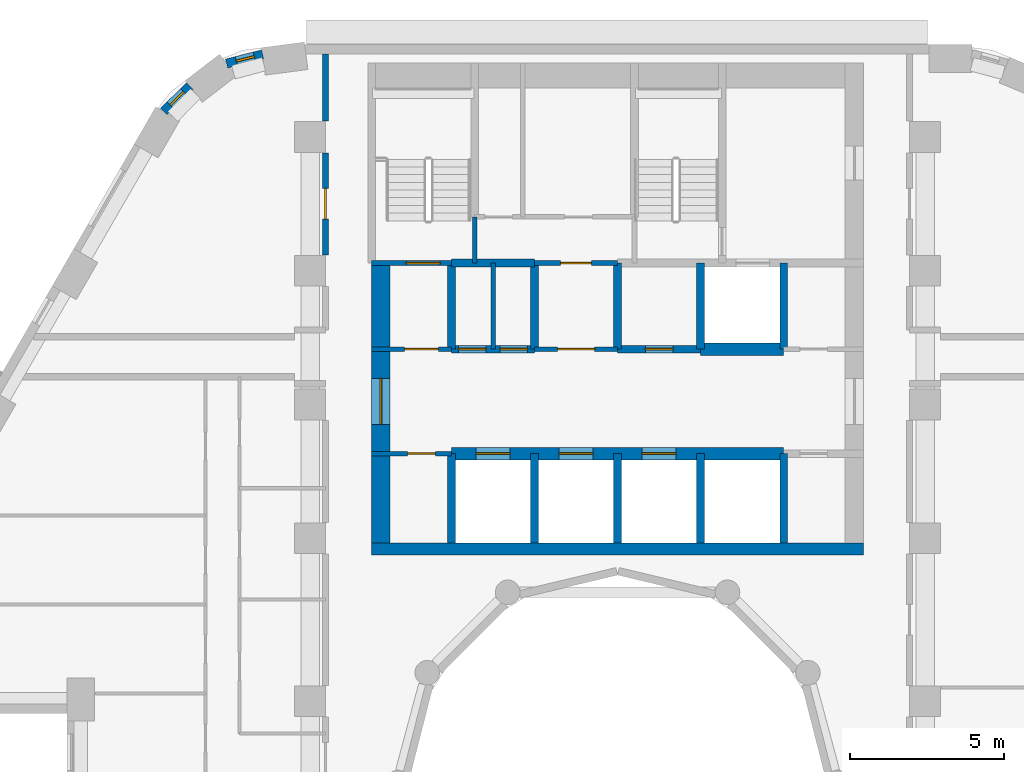
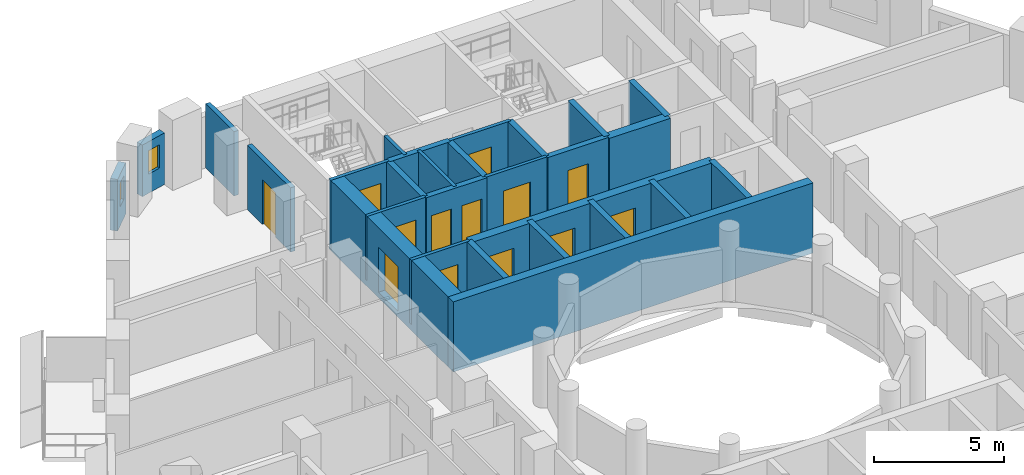
# One storey, part 7 of 14: 28 walls, 13 doors, 2 windows, 15 openings.
"""IFC4 building model written with IfcOpenShell, lengths in metres."""

from ifc_helpers import new_model, si_unit, direction, frame, frame_2d, origin, place, context, subcontext, project, spatial, rectangle, extrude, material, layer, layer_set, type_object, element, fill, save


model = new_model("IFC4")

# Units and contexts
model_context = context("Model", 3, precision=1e-05, world=origin(), true_north=direction((0.0, 1.0)))
body_context = subcontext(model_context, "Body", "Model", "MODEL_VIEW")
ifc_project = project(units=[si_unit("LENGTHUNIT", "METRE"), si_unit("AREAUNIT", "SQUARE_METRE"), si_unit("VOLUMEUNIT", "CUBIC_METRE"), si_unit("PLANEANGLEUNIT", "RADIAN"), si_unit("MASSUNIT", "GRAM", prefix="KILO")], contexts=[model_context])

# Site, building, storey
site_placement = place(None, origin())
site = spatial("IfcSite", under=ifc_project, at=site_placement, CompositionType="ELEMENT")
building_placement = place(site_placement, origin())
building = spatial("IfcBuilding", under=site, at=building_placement, Name="Nakaniwa Court", CompositionType="ELEMENT")
storey_placement = place(building_placement, frame((0.0, 0.0, 107.39990234375)))
storey = spatial("IfcBuildingStorey", under=building, at=storey_placement, Name="L28", CompositionType="ELEMENT", Elevation=107.39990234375)

# Wall, opening, door
ifc_material_1 = material(Name="Acoustic double stud partition")
ifc_layer_1 = layer(ifc_material_1, 0.199951171875)
ifc_layer_set_1 = layer_set([ifc_layer_1], Name="Acoustic double stud partition")
wall_type_1 = type_object("IfcWallType", Name="Acoustic double stud partition 200", PredefinedType="PARTITIONING", material=ifc_layer_set_1)
wall_1_placement = place(storey_placement, frame((70.5, 97.1669921875, 0.0), z_axis=(0.0, 0.0, 1.0), x_axis=(0.0, 1.0, 0.0)))
wall_1 = element("IfcWall", 1, at=wall_1_placement, inside=storey, type_object=wall_type_1, Name="Partition PW-107", PredefinedType="PARTITIONING", context=body_context, shape_type="SweptSolid", body=[
    extrude(rectangle(XDim=3.31591796875, YDim=0.199951171875, at=frame_2d((1.657958984375, 0.0))), origin(), (0.0, 0.0, 1.0), 3.025146484375),
])
opening_1_placement = place(wall_1_placement, frame((1.157958984375, 0.0, 0.0)))
opening_1 = element("IfcOpeningElement", 2, at=opening_1_placement, cuts=wall_1, Name="Opening D-02-06", PredefinedType="OPENING", context=body_context, shape_type="SweptSolid", body=[
    extrude(rectangle(XDim=1.0, YDim=2.10009765625, at=frame_2d((0.5, 1.050048828125))), frame((0.0, 0.10986328125, 0.0), z_axis=(0.0, -1.0, 0.0), x_axis=(1.0, 0.0, 0.0)), (0.0, 0.0, 1.0), 0.219970703125),
])
ifc_material_2 = material(Name="Solid core timber door set, black veneer", Category="wood")
door_type_1 = type_object("IfcDoorType", Name="Internal door 1000", OperationType="NOTDEFINED", PredefinedType="DOOR", material=ifc_material_2)
door_1_placement = place(opening_1_placement, origin())
door_1 = element("IfcDoor", 3, at=door_1_placement, inside=storey, type_object=door_type_1, Name="Door D-02-06 L28-052", OperationType="SINGLE_SWING_LEFT", OverallHeight=2.10009765625, OverallWidth=1.0, PredefinedType="DOOR", context=body_context, shape_type="SweptSolid", body=[
    extrude(rectangle(XDim=1.0, YDim=2.10009765625, at=frame_2d((0.5, 1.050048828125))), frame((0.0, 0.02490234375, 0.0), z_axis=(0.0, -1.0, 0.0), x_axis=(1.0, 0.0, 0.0)), (0.0, 0.0, 1.0), 0.050048828125),
])
fill(opening_1, door_1)

# Wall
wall_2_placement = place(storey_placement, frame((70.5, 101.51708984375, 0.0), z_axis=(0.0, 0.0, 1.0), x_axis=(0.0, 1.0, 0.0)))
element("IfcWall", 4, at=wall_2_placement, inside=storey, type_object=wall_type_1, Name="Partition PW-108", PredefinedType="PARTITIONING", context=body_context, shape_type="SweptSolid", body=[
    extrude(rectangle(XDim=2.182861328125, YDim=0.199951171875, at=frame_2d((1.09130859375, 0.0))), origin(), (0.0, 0.0, 1.0), 3.025146484375),
])

# Wall, opening, window
ifc_material_3 = material(Name="Charcoal ceramic cladding")
ifc_layer_2 = layer(ifc_material_3, 0.02, Name="Ceramic cladding")
ifc_material_4 = material(Name="Ventilated air cavity")
ifc_layer_3 = layer(ifc_material_4, 0.04, ventilated=True, Name="Ventilated cavity")
ifc_material_5 = material(Name="Mineral wool insulation")
ifc_layer_4 = layer(ifc_material_5, 0.1, Name="Insulation")
ifc_material_6 = material(Name="Cement bonded sheathing board")
ifc_layer_5 = layer(ifc_material_6, 0.012, Name="Sheathing")
ifc_material_7 = material(Name="Cold-formed galvanised stud frame with mineral wool infill")
ifc_layer_6 = layer(ifc_material_7, 0.1, Name="Stud frame")
ifc_material_8 = material(Name="Fire-rated gypsum plasterboard lining")
ifc_layer_7 = layer(ifc_material_8, 0.028, Name="Lining")
ifc_layer_set_2 = layer_set([ifc_layer_2, ifc_layer_3, ifc_layer_4, ifc_layer_5, ifc_layer_6, ifc_layer_7], Name="Charcoal ceramic faced external wall system")
wall_type_2 = type_object("IfcWallType", Name="Black ceramic faced external wall 300", PredefinedType="SOLIDWALL", material=ifc_layer_set_2)
wall_3_placement = place(storey_placement, frame((68.455810546875, 103.68310546875, 0.0), z_axis=(0.0, 0.0, 1.0), x_axis=(-0.969485113966, -0.245150186208, 0.0)))
wall_3 = element("IfcWall", 5, at=wall_3_placement, inside=storey, type_object=wall_type_2, Name="L28 external wall 09", PredefinedType="SOLIDWALL", context=body_context, shape_type="SweptSolid", body=[
    extrude(rectangle(XDim=1.2080078125, YDim=0.300048828125, at=frame_2d((0.60400390625, 0.0))), origin(), (0.0, 0.0, 1.0), 2.425048828125),
])
opening_2_placement = place(wall_3_placement, frame((0.279541015625, 0.0, 0.89990234375)))
opening_2 = element("IfcOpeningElement", 6, at=opening_2_placement, cuts=wall_3, Name="Opening W8.07", PredefinedType="OPENING", context=body_context, shape_type="SweptSolid", body=[
    extrude(rectangle(XDim=0.60009765625, YDim=1.10009765625, at=frame_2d((0.300048828125, 0.550048828125))), frame((0.0, 0.159912109375, 0.0), z_axis=(0.0, -1.0, 0.0), x_axis=(1.0, 0.0, 0.0)), (0.0, 0.0, 1.0), 0.320068359375),
])
ifc_material_9 = material(Name="Black anodised aluminium frame with dark low-E laminated double glazing", Category="aluminium")
window_type = type_object("IfcWindowType", Name="Dark glass window 600x1100 sill 900", PartitioningType="SINGLE_PANEL", PredefinedType="WINDOW", material=ifc_material_9)
window_1_placement = place(opening_2_placement, origin())
window_1 = element("IfcWindow", 7, at=window_1_placement, inside=storey, type_object=window_type, Name="L28 habitable room window 09-0", OverallHeight=1.10009765625, OverallWidth=0.60009765625, PartitioningType="SINGLE_PANEL", PredefinedType="WINDOW", context=body_context, shape_type="SweptSolid", body=[
    extrude(rectangle(XDim=0.60009765625, YDim=1.10009765625, at=frame_2d((0.300048828125, 0.550048828125))), frame((0.0, 0.030029296875, 0.0), z_axis=(0.0, -1.0, 0.0), x_axis=(1.0, 0.0, 0.0)), (0.0, 0.0, 1.0), 0.06005859375),
])
fill(opening_2, window_1)

wall_4_placement = place(storey_placement, frame((66.085205078125, 102.66259765625, 0.0), z_axis=(0.0, 0.0, 1.0), x_axis=(-0.708951665509, -0.705257070842, 0.0)))
wall_4 = element("IfcWall", 8, at=wall_4_placement, inside=storey, type_object=wall_type_2, Name="L28 external wall 10", PredefinedType="SOLIDWALL", context=body_context, shape_type="SweptSolid", body=[
    extrude(rectangle(XDim=1.189453125, YDim=0.300048828125, at=frame_2d((0.5947265625, 0.0))), origin(), (0.0, 0.0, 1.0), 2.425048828125),
])
opening_3_placement = place(wall_4_placement, frame((0.284423828125, 0.0, 0.89990234375)))
opening_3 = element("IfcOpeningElement", 9, at=opening_3_placement, cuts=wall_4, Name="Opening W8.08", PredefinedType="OPENING", context=body_context, shape_type="SweptSolid", body=[
    extrude(rectangle(XDim=0.60009765625, YDim=1.10009765625, at=frame_2d((0.300048828125, 0.550048828125))), frame((0.0, 0.159912109375, 0.0), z_axis=(0.0, -1.0, 0.0), x_axis=(1.0, 0.0, 0.0)), (0.0, 0.0, 1.0), 0.320068359375),
])
window_2_placement = place(opening_3_placement, origin())
window_2 = element("IfcWindow", 10, at=window_2_placement, inside=storey, type_object=window_type, Name="L28 habitable room window 10-0", OverallHeight=1.10009765625, OverallWidth=0.60009765625, PartitioningType="SINGLE_PANEL", PredefinedType="WINDOW", context=body_context, shape_type="SweptSolid", body=[
    extrude(rectangle(XDim=0.60009765625, YDim=1.10009765625, at=frame_2d((0.300048828125, 0.550048828125))), frame((0.0, 0.030029296875, 0.0), z_axis=(0.0, -1.0, 0.0), x_axis=(1.0, 0.0, 0.0)), (0.0, 0.0, 1.0), 0.06005859375),
])
fill(opening_3, window_2)

# Wall, opening, door
ifc_material_10 = material(Name="Blockwork partition", Category="masonry")
ifc_layer_8 = layer(ifc_material_10, 0.14990234375)
ifc_layer_set_3 = layer_set([ifc_layer_8], Name="Blockwork partition")
wall_type_3 = type_object("IfcWallType", Name="Blockwork partition 150", PredefinedType="PARTITIONING", material=ifc_layer_set_3)
wall_5_placement = place(storey_placement, frame((74.60009765625, 90.699951171875, 0.0), z_axis=(0.0, 0.0, 1.0), x_axis=(-1.0, 0.0, 0.0)))
wall_5 = element("IfcWall", 11, at=wall_5_placement, inside=storey, type_object=wall_type_3, Name="Partition PW-003", PredefinedType="PARTITIONING", context=body_context, shape_type="SweptSolid", body=[
    extrude(rectangle(XDim=2.60009765625, YDim=0.14990234375, at=frame_2d((1.300048828125, 0.0))), origin(), (0.0, 0.0, 1.0), 3.025146484375),
])
opening_4_placement = place(wall_5_placement, frame((0.52490234375, 0.0, 0.0)))
opening_4 = element("IfcOpeningElement", 12, at=opening_4_placement, cuts=wall_5, Name="Opening D-05-01", PredefinedType="OPENING", context=body_context, shape_type="SweptSolid", body=[
    extrude(rectangle(XDim=0.89990234375, YDim=2.10009765625, at=frame_2d((0.449951171875, 1.050048828125))), frame((0.0, 0.0849609375, 0.0), z_axis=(0.0, -1.0, 0.0), x_axis=(1.0, 0.0, 0.0)), (0.0, 0.0, 1.0), 0.169921875),
])
ifc_material_11 = material(Name="Fire rated steel door set", Category="steel")
door_type_2 = type_object("IfcDoorType", Name="Service room door 900", OperationType="NOTDEFINED", PredefinedType="DOOR", material=ifc_material_11)
door_2_placement = place(opening_4_placement, origin())
door_2 = element("IfcDoor", 13, at=door_2_placement, inside=storey, type_object=door_type_2, Name="Door D-05-01 L28-001", OperationType="SINGLE_SWING_RIGHT", OverallHeight=2.10009765625, OverallWidth=0.89990234375, PredefinedType="DOOR", context=body_context, shape_type="SweptSolid", body=[
    extrude(rectangle(XDim=0.89990234375, YDim=2.10009765625, at=frame_2d((0.449951171875, 1.050048828125))), frame((0.0, 0.02490234375, 0.0), z_axis=(0.0, -1.0, 0.0), x_axis=(1.0, 0.0, 0.0)), (0.0, 0.0, 1.0), 0.050048828125),
])
fill(opening_4, door_2)

wall_6_placement = place(storey_placement, frame((72.0, 94.10009765625, 0.0), z_axis=(0.0, 0.0, 1.0), x_axis=(1.0, 0.0, 0.0)))
wall_6 = element("IfcWall", 14, at=wall_6_placement, inside=storey, type_object=wall_type_3, Name="Partition PW-016", PredefinedType="PARTITIONING", context=body_context, shape_type="SweptSolid", body=[
    extrude(rectangle(XDim=2.60302734375, YDim=0.14990234375, at=frame_2d((1.301513671875, 0.0))), origin(), (0.0, 0.0, 1.0), 3.025146484375),
])
opening_5_placement = place(wall_6_placement, frame((1.074951171875, 0.0, 0.0)))
opening_5 = element("IfcOpeningElement", 15, at=opening_5_placement, cuts=wall_6, Name="Opening D-08-01", PredefinedType="OPENING", context=body_context, shape_type="SweptSolid", body=[
    extrude(rectangle(XDim=1.10009765625, YDim=2.10009765625, at=frame_2d((0.550048828125, 1.050048828125))), frame((0.0, 0.0849609375, 0.0), z_axis=(0.0, -1.0, 0.0), x_axis=(1.0, 0.0, 0.0)), (0.0, 0.0, 1.0), 0.169921875),
])
door_type_3 = type_object("IfcDoorType", Name="Stair lobby door 1100", OperationType="NOTDEFINED", PredefinedType="DOOR", material=ifc_material_11)
door_3_placement = place(opening_5_placement, origin())
door_3 = element("IfcDoor", 16, at=door_3_placement, inside=storey, type_object=door_type_3, Name="Door D-08-01 L28-003", OperationType="SINGLE_SWING_RIGHT", OverallHeight=2.10009765625, OverallWidth=1.10009765625, PredefinedType="DOOR", context=body_context, shape_type="SweptSolid", body=[
    extrude(rectangle(XDim=1.10009765625, YDim=2.10009765625, at=frame_2d((0.550048828125, 1.050048828125))), frame((0.0, 0.02490234375, 0.0), z_axis=(0.0, -1.0, 0.0), x_axis=(1.0, 0.0, 0.0)), (0.0, 0.0, 1.0), 0.050048828125),
])
fill(opening_5, door_3)

wall_7_placement = place(storey_placement, frame((77.297119140625, 94.10009765625, 0.0), z_axis=(0.0, 0.0, 1.0), x_axis=(1.0, 0.0, 0.0)))
wall_7 = element("IfcWall", 17, at=wall_7_placement, inside=storey, type_object=wall_type_3, Name="Partition PW-017", PredefinedType="PARTITIONING", context=body_context, shape_type="SweptSolid", body=[
    extrude(rectangle(XDim=2.705810546875, YDim=0.14990234375, at=frame_2d((1.35302734375, 0.0))), origin(), (0.0, 0.0, 1.0), 3.025146484375),
])
opening_6_placement = place(wall_7_placement, frame((0.7529296875, 0.0, 0.0)))
opening_6 = element("IfcOpeningElement", 18, at=opening_6_placement, cuts=wall_7, Name="Opening D-06-01", PredefinedType="OPENING", context=body_context, shape_type="SweptSolid", body=[
    extrude(rectangle(XDim=1.199951171875, YDim=2.10009765625, at=frame_2d((0.60009765625, 1.050048828125))), frame((0.0, 0.0849609375, 0.0), z_axis=(0.0, -1.0, 0.0), x_axis=(1.0, 0.0, 0.0)), (0.0, 0.0, 1.0), 0.169921875),
])
ifc_material_12 = material(Name="Fire rated steel double door set", Category="steel")
door_type_4 = type_object("IfcDoorType", Name="Service passage double door 1200", OperationType="NOTDEFINED", PredefinedType="DOOR", material=ifc_material_12)
door_4_placement = place(opening_6_placement, origin())
door_4 = element("IfcDoor", 19, at=door_4_placement, inside=storey, type_object=door_type_4, Name="Door D-06-01 L28-006", OperationType="DOUBLE_DOOR_SINGLE_SWING", OverallHeight=2.10009765625, OverallWidth=1.199951171875, PredefinedType="DOOR", context=body_context, shape_type="SweptSolid", body=[
    extrude(rectangle(XDim=1.199951171875, YDim=2.10009765625, at=frame_2d((0.60009765625, 1.050048828125))), frame((0.0, 0.02490234375, 0.0), z_axis=(0.0, -1.0, 0.0), x_axis=(1.0, 0.0, 0.0)), (0.0, 0.0, 1.0), 0.050048828125),
])
fill(opening_6, door_4)

# Wall
wall_8_placement = place(storey_placement, frame((75.949951171875, 94.10009765625, 0.0), z_axis=(0.0, 0.0, 1.0), x_axis=(0.0, 1.0, 0.0)))
element("IfcWall", 20, at=wall_8_placement, inside=storey, type_object=wall_type_3, Name="Partition PW-023", PredefinedType="PARTITIONING", context=body_context, shape_type="SweptSolid", body=[
    extrude(rectangle(XDim=2.7998046875, YDim=0.14990234375, at=frame_2d((1.39990234375, 0.0))), origin(), (0.0, 0.0, 1.0), 3.025146484375),
])

# Wall, opening, door
wall_9_placement = place(storey_placement, frame((77.300048828125, 96.89990234375, 0.0), z_axis=(0.0, 0.0, 1.0), x_axis=(1.0, 0.0, 0.0)))
wall_9 = element("IfcWall", 21, at=wall_9_placement, inside=storey, type_object=wall_type_3, Name="Partition PW-026", PredefinedType="PARTITIONING", context=body_context, shape_type="SweptSolid", body=[
    extrude(rectangle(XDim=2.699951171875, YDim=0.14990234375, at=frame_2d((1.35009765625, 0.0))), origin(), (0.0, 0.0, 1.0), 3.025146484375),
])
opening_7_placement = place(wall_9_placement, frame((0.85009765625, 0.0, 0.0)))
opening_7 = element("IfcOpeningElement", 22, at=opening_7_placement, cuts=wall_9, Name="Opening D-23-01", PredefinedType="OPENING", context=body_context, shape_type="SweptSolid", body=[
    extrude(rectangle(XDim=1.0, YDim=2.10009765625, at=frame_2d((0.5, 1.050048828125))), frame((0.0, 0.0849609375, 0.0), z_axis=(0.0, -1.0, 0.0), x_axis=(1.0, 0.0, 0.0)), (0.0, 0.0, 1.0), 0.169921875),
])
door_type_5 = type_object("IfcDoorType", Name="Service room door 1000", OperationType="NOTDEFINED", PredefinedType="DOOR", material=ifc_material_11)
door_5_placement = place(opening_7_placement, origin())
door_5 = element("IfcDoor", 23, at=door_5_placement, inside=storey, type_object=door_type_5, Name="Door D-23-01 L28-009", OperationType="SINGLE_SWING_RIGHT", OverallHeight=2.10009765625, OverallWidth=1.0, PredefinedType="DOOR", context=body_context, shape_type="SweptSolid", body=[
    extrude(rectangle(XDim=1.0, YDim=2.10009765625, at=frame_2d((0.5, 1.050048828125))), frame((0.0, 0.02490234375, 0.0), z_axis=(0.0, -1.0, 0.0), x_axis=(1.0, 0.0, 0.0)), (0.0, 0.0, 1.0), 0.050048828125),
])
fill(opening_7, door_5)

ifc_material_13 = material(Name="Concrete C80/100", Category="concrete")
ifc_layer_9 = layer(ifc_material_13, 0.60009765625)
ifc_layer_set_4 = layer_set([ifc_layer_9], Name="Concrete C80/100")
wall_type_4 = type_object("IfcWallType", Name="Concrete core side wall 600 C80", PredefinedType="SHEAR", material=ifc_layer_set_4)
wall_10_placement = place(storey_placement, frame((72.300048828125, 87.800048828125, -0.27490234375), z_axis=(0.0, 0.0, 1.0), x_axis=(0.0, 1.0, 0.0)))
wall_10 = element("IfcWall", 24, at=wall_10_placement, inside=storey, type_object=wall_type_4, Name="Core wall SW-04", PredefinedType="SHEAR", context=body_context, shape_type="SweptSolid", body=[
    extrude(rectangle(XDim=9.099853515625, YDim=0.60009765625, at=frame_2d((4.5498046875, 0.0))), origin(), (0.0, 0.0, 1.0), 3.300048828125),
])
opening_8_placement = place(wall_10_placement, frame((3.85009765625, 0.0, 0.27490234375)))
opening_8 = element("IfcOpeningElement", 25, at=opening_8_placement, cuts=wall_10, Name="Opening D-07-02", PredefinedType="OPENING", context=body_context, shape_type="SweptSolid", body=[
    extrude(rectangle(XDim=1.5, YDim=2.10009765625, at=frame_2d((0.75, 1.050048828125))), frame((0.0, 0.31005859375, 0.0), z_axis=(0.0, -1.0, 0.0), x_axis=(1.0, 0.0, 0.0)), (0.0, 0.0, 1.0), 0.6201171875),
])
ifc_material_14 = material(Name="Glazed fire rated steel double door set", Category="steel")
door_type_6 = type_object("IfcDoorType", Name="Lobby double door 1500", OperationType="NOTDEFINED", PredefinedType="DOOR", material=ifc_material_14)
door_6_placement = place(opening_8_placement, origin())
door_6 = element("IfcDoor", 26, at=door_6_placement, inside=storey, type_object=door_type_6, Name="Door D-07-02 L28-055", OperationType="DOUBLE_DOOR_SINGLE_SWING", OverallHeight=2.10009765625, OverallWidth=1.5, PredefinedType="DOOR", context=body_context, shape_type="SweptSolid", body=[
    extrude(rectangle(XDim=1.5, YDim=2.10009765625, at=frame_2d((0.75, 1.050048828125))), frame((0.0, 0.02490234375, 0.0), z_axis=(0.0, -1.0, 0.0), x_axis=(1.0, 0.0, 0.0)), (0.0, 0.0, 1.0), 0.050048828125),
])
fill(opening_8, door_6)

# Wall, openings, doors
ifc_layer_10 = layer(ifc_material_13, 0.39990234375)
ifc_layer_set_5 = layer_set([ifc_layer_10], Name="Concrete C80/100")
wall_type_5 = type_object("IfcWallType", Name="Concrete core spine wall 400 C80", PredefinedType="SHEAR", material=ifc_layer_set_5)
wall_11_placement = place(storey_placement, frame((74.60009765625, 90.699951171875, -0.27490234375), z_axis=(0.0, 0.0, 1.0), x_axis=(1.0, 0.0, 0.0)))
wall_11 = element("IfcWall", 27, at=wall_11_placement, inside=storey, type_object=wall_type_5, Name="Core wall SW-07", PredefinedType="SHEAR", context=body_context, shape_type="SweptSolid", body=[
    extrude(rectangle(XDim=10.7998046875, YDim=0.39990234375, at=frame_2d((5.39990234375, 0.0))), origin(), (0.0, 0.0, 1.0), 3.300048828125),
])
opening_9_placement = place(wall_11_placement, frame((0.800048828125, 0.0, 0.27490234375)))
opening_9 = element("IfcOpeningElement", 28, at=opening_9_placement, cuts=wall_11, Name="Opening LD01", PredefinedType="OPENING", context=body_context, shape_type="SweptSolid", body=[
    extrude(rectangle(XDim=1.10009765625, YDim=2.10009765625, at=frame_2d((0.550048828125, 1.050048828125))), frame((0.0, 0.2099609375, 0.0), z_axis=(0.0, -1.0, 0.0), x_axis=(1.0, 0.0, 0.0)), (0.0, 0.0, 1.0), 0.419921875),
])
opening_10_placement = place(wall_11_placement, frame((3.5, 0.0, 0.27490234375)))
opening_10 = element("IfcOpeningElement", 29, at=opening_10_placement, cuts=wall_11, Name="Opening LD02", PredefinedType="OPENING", context=body_context, shape_type="SweptSolid", body=[
    extrude(rectangle(XDim=1.10009765625, YDim=2.10009765625, at=frame_2d((0.550048828125, 1.050048828125))), frame((0.0, 0.2099609375, 0.0), z_axis=(0.0, -1.0, 0.0), x_axis=(1.0, 0.0, 0.0)), (0.0, 0.0, 1.0), 0.419921875),
])
opening_11_placement = place(wall_11_placement, frame((6.199951171875, 0.0, 0.27490234375)))
opening_11 = element("IfcOpeningElement", 30, at=opening_11_placement, cuts=wall_11, Name="Opening LD03", PredefinedType="OPENING", context=body_context, shape_type="SweptSolid", body=[
    extrude(rectangle(XDim=1.10009765625, YDim=2.10009765625, at=frame_2d((0.550048828125, 1.050048828125))), frame((0.0, 0.2099609375, 0.0), z_axis=(0.0, -1.0, 0.0), x_axis=(1.0, 0.0, 0.0)), (0.0, 0.0, 1.0), 0.419921875),
])
ifc_material_15 = material(Name="Stainless steel sliding lift landing door", Category="steel")
door_type_7 = type_object("IfcDoorType", Name="Lift landing door 1100", OperationType="NOTDEFINED", PredefinedType="DOOR", material=ifc_material_15)
door_7_placement = place(opening_9_placement, origin())
door_7 = element("IfcDoor", 31, at=door_7_placement, inside=storey, type_object=door_type_7, Name="Lift landing door LD01 L28-001", OperationType="SLIDING_TO_LEFT", OverallHeight=2.10009765625, OverallWidth=1.10009765625, PredefinedType="DOOR", context=body_context, shape_type="SweptSolid", body=[
    extrude(rectangle(XDim=1.10009765625, YDim=2.10009765625, at=frame_2d((0.550048828125, 1.050048828125))), frame((0.0, 0.02490234375, 0.0), z_axis=(0.0, -1.0, 0.0), x_axis=(1.0, 0.0, 0.0)), (0.0, 0.0, 1.0), 0.050048828125),
])
fill(opening_9, door_7)
door_8_placement = place(opening_10_placement, origin())
door_8 = element("IfcDoor", 32, at=door_8_placement, inside=storey, type_object=door_type_7, Name="Lift landing door LD02 L28-002", OperationType="SLIDING_TO_LEFT", OverallHeight=2.10009765625, OverallWidth=1.10009765625, PredefinedType="DOOR", context=body_context, shape_type="SweptSolid", body=[
    extrude(rectangle(XDim=1.10009765625, YDim=2.10009765625, at=frame_2d((0.550048828125, 1.050048828125))), frame((0.0, 0.02490234375, 0.0), z_axis=(0.0, -1.0, 0.0), x_axis=(1.0, 0.0, 0.0)), (0.0, 0.0, 1.0), 0.050048828125),
])
fill(opening_10, door_8)
door_9_placement = place(opening_11_placement, origin())
door_9 = element("IfcDoor", 33, at=door_9_placement, inside=storey, type_object=door_type_7, Name="Lift landing door LD03 L28-003", OperationType="SLIDING_TO_LEFT", OverallHeight=2.10009765625, OverallWidth=1.10009765625, PredefinedType="DOOR", context=body_context, shape_type="SweptSolid", body=[
    extrude(rectangle(XDim=1.10009765625, YDim=2.10009765625, at=frame_2d((0.550048828125, 1.050048828125))), frame((0.0, 0.02490234375, 0.0), z_axis=(0.0, -1.0, 0.0), x_axis=(1.0, 0.0, 0.0)), (0.0, 0.0, 1.0), 0.050048828125),
])
fill(opening_11, door_9)

# Wall
wall_12_placement = place(storey_placement, frame((82.697021484375, 94.10009765625, -0.27490234375), z_axis=(0.0, 0.0, 1.0), x_axis=(1.0, 0.0, 0.0)))
element("IfcWall", 34, at=wall_12_placement, inside=storey, type_object=wall_type_5, Name="Core wall SW-21", PredefinedType="SHEAR", context=body_context, shape_type="SweptSolid", body=[
    extrude(rectangle(XDim=2.7060546875, YDim=0.39990234375, at=frame_2d((1.35302734375, 0.0))), origin(), (0.0, 0.0, 1.0), 3.300048828125),
])

# Wall, opening, door
ifc_layer_11 = layer(ifc_material_13, 0.14990234375)
ifc_layer_set_6 = layer_set([ifc_layer_11], Name="Concrete C80/100")
wall_type_6 = type_object("IfcWallType", Name="Concrete core wall 150 C80", PredefinedType="SHEAR", material=ifc_layer_set_6)
wall_13_placement = place(storey_placement, frame((74.60009765625, 96.89990234375, -0.27490234375), z_axis=(0.0, 0.0, 1.0), x_axis=(-1.0, 0.0, 0.0)))
wall_13 = element("IfcWall", 35, at=wall_13_placement, inside=storey, type_object=wall_type_6, Name="Core wall SW-22", PredefinedType="SHEAR", context=body_context, shape_type="SweptSolid", body=[
    extrude(rectangle(XDim=2.60009765625, YDim=0.14990234375, at=frame_2d((1.300048828125, 0.0))), origin(), (0.0, 0.0, 1.0), 3.300048828125),
])
opening_12_placement = place(wall_13_placement, frame((0.3701171875, 0.0, 0.27490234375)))
opening_12 = element("IfcOpeningElement", 36, at=opening_12_placement, cuts=wall_13, Name="Opening D-09-01", PredefinedType="OPENING", context=body_context, shape_type="SweptSolid", body=[
    extrude(rectangle(XDim=1.10009765625, YDim=2.10009765625, at=frame_2d((0.550048828125, 1.050048828125))), frame((0.0, 0.0849609375, 0.0), z_axis=(0.0, -1.0, 0.0), x_axis=(1.0, 0.0, 0.0)), (0.0, 0.0, 1.0), 0.169921875),
])
door_type_8 = type_object("IfcDoorType", Name="Stair door 1100", OperationType="NOTDEFINED", PredefinedType="DOOR", material=ifc_material_11)
door_10_placement = place(opening_12_placement, origin())
door_10 = element("IfcDoor", 37, at=door_10_placement, inside=storey, type_object=door_type_8, Name="Door D-09-01 L28-012", OperationType="SINGLE_SWING_RIGHT", OverallHeight=2.10009765625, OverallWidth=1.10009765625, PredefinedType="DOOR", context=body_context, shape_type="SweptSolid", body=[
    extrude(rectangle(XDim=1.10009765625, YDim=2.10009765625, at=frame_2d((0.550048828125, 1.050048828125))), frame((0.0, 0.02490234375, 0.0), z_axis=(0.0, -1.0, 0.0), x_axis=(1.0, 0.0, 0.0)), (0.0, 0.0, 1.0), 0.050048828125),
])
fill(opening_12, door_10)

# Walls
wall_14_placement = place(storey_placement, frame((75.35009765625, 96.89990234375, -0.27490234375), z_axis=(0.0, 0.0, 1.0), x_axis=(0.0, 1.0, 0.0)))
element("IfcWall", 38, at=wall_14_placement, inside=storey, type_object=wall_type_6, Name="Core wall SW-27", PredefinedType="SHEAR", context=body_context, shape_type="SweptSolid", body=[
    extrude(rectangle(XDim=1.503173828125, YDim=0.14990234375, at=frame_2d((0.75146484375, 0.0))), origin(), (0.0, 0.0, 1.0), 3.300048828125),
])
ifc_layer_12 = layer(ifc_material_13, 0.39990234375)
ifc_layer_set_7 = layer_set([ifc_layer_12], Name="Concrete C80/100")
wall_type_7 = type_object("IfcWallType", Name="Concrete core well wall 400 C80", PredefinedType="SHEAR", material=ifc_layer_set_7)
wall_15_placement = place(storey_placement, frame((72.00390625, 87.60009765625, -0.27490234375), z_axis=(0.0, 0.0, 1.0), x_axis=(1.0, 0.0, 0.0)))
element("IfcWall", 39, at=wall_15_placement, inside=storey, type_object=wall_type_7, Name="Core wall SW-132", PredefinedType="SHEAR", context=body_context, shape_type="SweptSolid", body=[
    extrude(rectangle(XDim=15.9921875, YDim=0.39990234375, at=frame_2d((7.99609375, 0.0))), origin(), (0.0, 0.0, 1.0), 3.300048828125),
])
ifc_layer_13 = layer(ifc_material_13, 0.25)
ifc_layer_set_8 = layer_set([ifc_layer_13], Name="Concrete C80/100")
wall_type_8 = type_object("IfcWallType", Name="Concrete shaft wall 250 C80", PredefinedType="SHEAR", material=ifc_layer_set_8)
wall_16_placement = place(storey_placement, frame((74.60009765625, 87.800048828125, -0.27490234375), z_axis=(0.0, 0.0, 1.0), x_axis=(0.0, 1.0, 0.0)))
element("IfcWall", 40, at=wall_16_placement, inside=storey, type_object=wall_type_8, Name="Core wall SW-01", PredefinedType="SHEAR", context=body_context, shape_type="SweptSolid", body=[
    extrude(rectangle(XDim=2.89990234375, YDim=0.25, at=frame_2d((1.449951171875, 0.0))), origin(), (0.0, 0.0, 1.0), 3.300048828125),
])
wall_17_placement = place(storey_placement, frame((74.60009765625, 94.10009765625, -0.27490234375), z_axis=(0.0, 0.0, 1.0), x_axis=(0.0, 1.0, 0.0)))
element("IfcWall", 41, at=wall_17_placement, inside=storey, type_object=wall_type_8, Name="Core wall SW-02", PredefinedType="SHEAR", context=body_context, shape_type="SweptSolid", body=[
    extrude(rectangle(XDim=2.7998046875, YDim=0.25, at=frame_2d((1.39990234375, 0.0))), origin(), (0.0, 0.0, 1.0), 3.300048828125),
])
wall_18_placement = place(storey_placement, frame((77.300048828125, 87.800048828125, -0.27490234375), z_axis=(0.0, 0.0, 1.0), x_axis=(0.0, 1.0, 0.0)))
element("IfcWall", 42, at=wall_18_placement, inside=storey, type_object=wall_type_8, Name="Core wall SW-05", PredefinedType="SHEAR", context=body_context, shape_type="SweptSolid", body=[
    extrude(rectangle(XDim=2.89990234375, YDim=0.25, at=frame_2d((1.449951171875, 0.0))), origin(), (0.0, 0.0, 1.0), 3.300048828125),
])
wall_19_placement = place(storey_placement, frame((77.300048828125, 94.10009765625, -0.27490234375), z_axis=(0.0, 0.0, 1.0), x_axis=(0.0, 1.0, 0.0)))
element("IfcWall", 43, at=wall_19_placement, inside=storey, type_object=wall_type_8, Name="Core wall SW-06", PredefinedType="SHEAR", context=body_context, shape_type="SweptSolid", body=[
    extrude(rectangle(XDim=2.7998046875, YDim=0.25, at=frame_2d((1.39990234375, 0.0))), origin(), (0.0, 0.0, 1.0), 3.300048828125),
])
wall_20_placement = place(storey_placement, frame((80.0, 87.800048828125, -0.27490234375), z_axis=(0.0, 0.0, 1.0), x_axis=(0.0, 1.0, 0.0)))
element("IfcWall", 44, at=wall_20_placement, inside=storey, type_object=wall_type_8, Name="Core wall SW-08", PredefinedType="SHEAR", context=body_context, shape_type="SweptSolid", body=[
    extrude(rectangle(XDim=2.89990234375, YDim=0.25, at=frame_2d((1.449951171875, 0.0))), origin(), (0.0, 0.0, 1.0), 3.300048828125),
])
wall_21_placement = place(storey_placement, frame((80.0, 94.10009765625, -0.27490234375), z_axis=(0.0, 0.0, 1.0), x_axis=(0.0, 1.0, 0.0)))
element("IfcWall", 45, at=wall_21_placement, inside=storey, type_object=wall_type_8, Name="Core wall SW-09", PredefinedType="SHEAR", context=body_context, shape_type="SweptSolid", body=[
    extrude(rectangle(XDim=2.7998046875, YDim=0.25, at=frame_2d((1.39990234375, 0.0))), origin(), (0.0, 0.0, 1.0), 3.300048828125),
])
wall_22_placement = place(storey_placement, frame((82.699951171875, 87.800048828125, -0.27490234375), z_axis=(0.0, 0.0, 1.0), x_axis=(0.0, 1.0, 0.0)))
element("IfcWall", 46, at=wall_22_placement, inside=storey, type_object=wall_type_8, Name="Core wall SW-10", PredefinedType="SHEAR", context=body_context, shape_type="SweptSolid", body=[
    extrude(rectangle(XDim=2.89990234375, YDim=0.25, at=frame_2d((1.449951171875, 0.0))), origin(), (0.0, 0.0, 1.0), 3.300048828125),
])
wall_23_placement = place(storey_placement, frame((82.699951171875, 94.10009765625, -0.27490234375), z_axis=(0.0, 0.0, 1.0), x_axis=(0.0, 1.0, 0.0)))
element("IfcWall", 47, at=wall_23_placement, inside=storey, type_object=wall_type_8, Name="Core wall SW-11", PredefinedType="SHEAR", context=body_context, shape_type="SweptSolid", body=[
    extrude(rectangle(XDim=2.7998046875, YDim=0.25, at=frame_2d((1.39990234375, 0.0))), origin(), (0.0, 0.0, 1.0), 3.300048828125),
])
wall_24_placement = place(storey_placement, frame((85.39990234375, 87.800048828125, -0.27490234375), z_axis=(0.0, 0.0, 1.0), x_axis=(0.0, 1.0, 0.0)))
element("IfcWall", 48, at=wall_24_placement, inside=storey, type_object=wall_type_8, Name="Core wall SW-12", PredefinedType="SHEAR", context=body_context, shape_type="SweptSolid", body=[
    extrude(rectangle(XDim=2.89990234375, YDim=0.25, at=frame_2d((1.449951171875, 0.0))), origin(), (0.0, 0.0, 1.0), 3.300048828125),
])
wall_25_placement = place(storey_placement, frame((85.39990234375, 94.10009765625, -0.27490234375), z_axis=(0.0, 0.0, 1.0), x_axis=(0.0, 1.0, 0.0)))
element("IfcWall", 49, at=wall_25_placement, inside=storey, type_object=wall_type_8, Name="Core wall SW-13", PredefinedType="SHEAR", context=body_context, shape_type="SweptSolid", body=[
    extrude(rectangle(XDim=2.7998046875, YDim=0.25, at=frame_2d((1.39990234375, 0.0))), origin(), (0.0, 0.0, 1.0), 3.300048828125),
])

# Wall, openings, doors
wall_26_placement = place(storey_placement, frame((74.596923828125, 94.10009765625, -0.27490234375), z_axis=(0.0, 0.0, 1.0), x_axis=(1.0, 0.0, 0.0)))
wall_26 = element("IfcWall", 50, at=wall_26_placement, inside=storey, type_object=wall_type_8, Name="Core wall SW-19", PredefinedType="SHEAR", context=body_context, shape_type="SweptSolid", body=[
    extrude(rectangle(XDim=2.7060546875, YDim=0.25, at=frame_2d((1.35302734375, 0.0))), origin(), (0.0, 0.0, 1.0), 3.300048828125),
])
opening_13_placement = place(wall_26_placement, frame((0.22802734375, 0.0, 0.27490234375)))
opening_13 = element("IfcOpeningElement", 51, at=opening_13_placement, cuts=wall_26, Name="Opening D-05-03", PredefinedType="OPENING", context=body_context, shape_type="SweptSolid", body=[
    extrude(rectangle(XDim=0.89990234375, YDim=2.10009765625, at=frame_2d((0.449951171875, 1.050048828125))), frame((0.0, 0.135009765625, 0.0), z_axis=(0.0, -1.0, 0.0), x_axis=(1.0, 0.0, 0.0)), (0.0, 0.0, 1.0), 0.27001953125),
])
opening_14_placement = place(wall_26_placement, frame((1.577880859375, 0.0, 0.27490234375)))
opening_14 = element("IfcOpeningElement", 52, at=opening_14_placement, cuts=wall_26, Name="Opening D-05-04", PredefinedType="OPENING", context=body_context, shape_type="SweptSolid", body=[
    extrude(rectangle(XDim=0.89990234375, YDim=2.10009765625, at=frame_2d((0.449951171875, 1.050048828125))), frame((0.0, 0.135009765625, 0.0), z_axis=(0.0, -1.0, 0.0), x_axis=(1.0, 0.0, 0.0)), (0.0, 0.0, 1.0), 0.27001953125),
])
door_11_placement = place(opening_13_placement, origin())
door_11 = element("IfcDoor", 53, at=door_11_placement, inside=storey, type_object=door_type_2, Name="Door D-05-03 L28-004", OperationType="SINGLE_SWING_LEFT", OverallHeight=2.10009765625, OverallWidth=0.89990234375, PredefinedType="DOOR", context=body_context, shape_type="SweptSolid", body=[
    extrude(rectangle(XDim=0.89990234375, YDim=2.10009765625, at=frame_2d((0.449951171875, 1.050048828125))), frame((0.0, 0.02490234375, 0.0), z_axis=(0.0, -1.0, 0.0), x_axis=(1.0, 0.0, 0.0)), (0.0, 0.0, 1.0), 0.050048828125),
])
fill(opening_13, door_11)
door_12_placement = place(opening_14_placement, origin())
door_12 = element("IfcDoor", 54, at=door_12_placement, inside=storey, type_object=door_type_2, Name="Door D-05-04 L28-005", OperationType="SINGLE_SWING_RIGHT", OverallHeight=2.10009765625, OverallWidth=0.89990234375, PredefinedType="DOOR", context=body_context, shape_type="SweptSolid", body=[
    extrude(rectangle(XDim=0.89990234375, YDim=2.10009765625, at=frame_2d((0.449951171875, 1.050048828125))), frame((0.0, 0.02490234375, 0.0), z_axis=(0.0, -1.0, 0.0), x_axis=(1.0, 0.0, 0.0)), (0.0, 0.0, 1.0), 0.050048828125),
])
fill(opening_14, door_12)

# Wall, opening, door
wall_27_placement = place(storey_placement, frame((79.9970703125, 94.10009765625, -0.27490234375), z_axis=(0.0, 0.0, 1.0), x_axis=(1.0, 0.0, 0.0)))
wall_27 = element("IfcWall", 55, at=wall_27_placement, inside=storey, type_object=wall_type_8, Name="Core wall SW-20", PredefinedType="SHEAR", context=body_context, shape_type="SweptSolid", body=[
    extrude(rectangle(XDim=2.705810546875, YDim=0.25, at=frame_2d((1.35302734375, 0.0))), origin(), (0.0, 0.0, 1.0), 3.300048828125),
])
opening_15_placement = place(wall_27_placement, frame((0.903076171875, 0.0, 0.27490234375)))
opening_15 = element("IfcOpeningElement", 56, at=opening_15_placement, cuts=wall_27, Name="Opening D-05-05", PredefinedType="OPENING", context=body_context, shape_type="SweptSolid", body=[
    extrude(rectangle(XDim=0.89990234375, YDim=2.10009765625, at=frame_2d((0.449951171875, 1.050048828125))), frame((0.0, 0.135009765625, 0.0), z_axis=(0.0, -1.0, 0.0), x_axis=(1.0, 0.0, 0.0)), (0.0, 0.0, 1.0), 0.27001953125),
])
door_13_placement = place(opening_15_placement, origin())
door_13 = element("IfcDoor", 57, at=door_13_placement, inside=storey, type_object=door_type_2, Name="Door D-05-05 L28-007", OperationType="SINGLE_SWING_RIGHT", OverallHeight=2.10009765625, OverallWidth=0.89990234375, PredefinedType="DOOR", context=body_context, shape_type="SweptSolid", body=[
    extrude(rectangle(XDim=0.89990234375, YDim=2.10009765625, at=frame_2d((0.449951171875, 1.050048828125))), frame((0.0, 0.02490234375, 0.0), z_axis=(0.0, -1.0, 0.0), x_axis=(1.0, 0.0, 0.0)), (0.0, 0.0, 1.0), 0.050048828125),
])
fill(opening_15, door_13)

# Wall
wall_28_placement = place(storey_placement, frame((74.60009765625, 96.89990234375, -0.27490234375), z_axis=(0.0, 0.0, 1.0), x_axis=(1.0, 0.0, 0.0)))
element("IfcWall", 58, at=wall_28_placement, inside=storey, type_object=wall_type_8, Name="Core wall SW-24", PredefinedType="SHEAR", context=body_context, shape_type="SweptSolid", body=[
    extrude(rectangle(XDim=2.699951171875, YDim=0.25, at=frame_2d((1.35009765625, 0.0))), origin(), (0.0, 0.0, 1.0), 3.300048828125),
])

save(model, "model.ifc")
